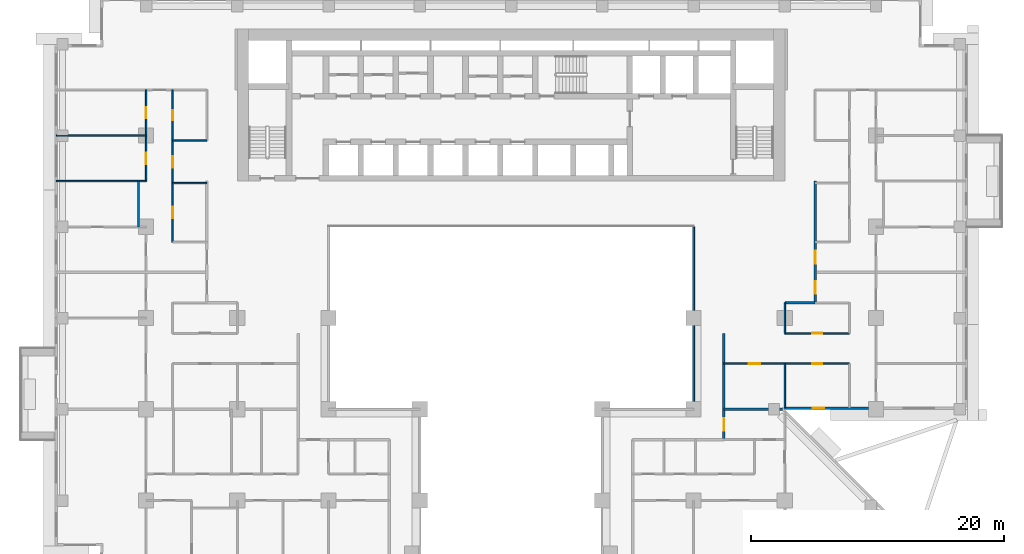
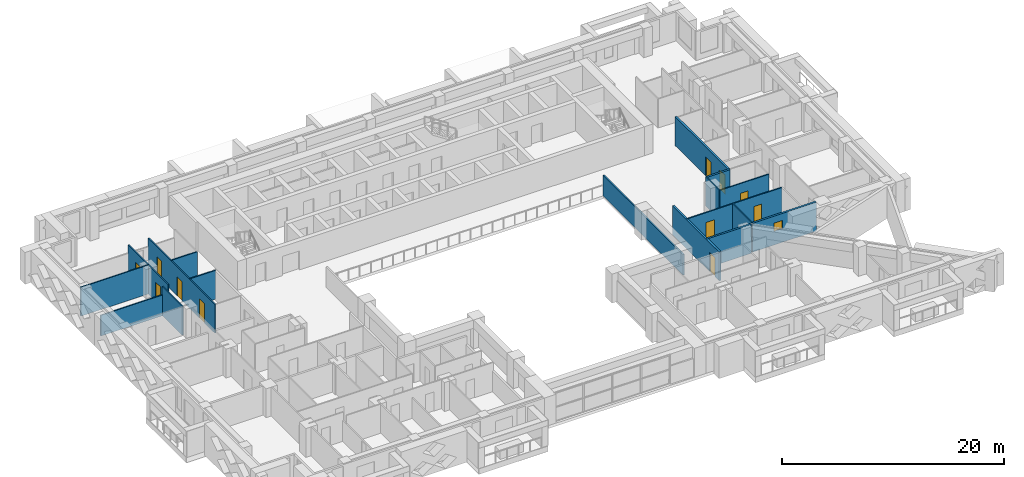
# One storey, part 9 of 17: 17 walls, 11 doors, 1 window, 12 openings.
"""IFC4 building model written with IfcOpenShell, lengths in metres."""

import ifcopenshell
import ifcopenshell.guid

model = None  # the IFC model being written
_history = None  # IfcOwnerHistory: only IFC2X3 demands one
_inside = {}  # id of a spatial element -> (the spatial element, [elements in it])
_under = {}  # id of a project, library or spatial element -> (it, [spatial elements below it])
_declared = {}  # id of a project -> (the project, [libraries it declares])
_typed = {}  # id of a type object -> (the type object, [elements of that type])
_made_of = {}  # id of a material, layer set ... -> (it, [elements and type objects made of it])


def new_model(schema):
    """Start an empty IFC model of exactly this schema.

    Asked for "IFC4X3", IfcOpenShell would pick the latest addendum, in which some entities
    have other attributes; the version numbers below select the first issue.
    IFC2X3 requires an IfcOwnerHistory on every rooted entity: one is made here for all.
    """
    global model, _history
    if schema == "IFC4X3":
        model = ifcopenshell.file(schema_version=(4, 3, 0, 0))
    else:
        model = ifcopenshell.file(schema=schema)
    _inside.clear()
    _under.clear()
    _declared.clear()
    _typed.clear()
    _made_of.clear()
    _history = None
    if model.schema == "IFC2X3":
        org = make("IfcOrganization", Name="unknown")
        user = make(
            "IfcPersonAndOrganization",
            ThePerson=make("IfcPerson", FamilyName="unknown"),
            TheOrganization=org,
        )
        app = make(
            "IfcApplication",
            ApplicationDeveloper=org,
            Version="unknown",
            ApplicationFullName="unknown",
            ApplicationIdentifier="unknown",
        )
        _history = make(
            "IfcOwnerHistory",
            OwningUser=user,
            OwningApplication=app,
            ChangeAction="ADDED",
            CreationDate=0,
        )
    return model


def make(cls, **values):
    """One entity of the class cls with the attributes given. An attribute that is None is left unset."""
    return model.create_entity(
        cls, **{name: value for name, value in values.items() if value is not None}
    )


def rooted(cls, **values):
    """An entity with a GlobalId (a new one), such as an element, a storey or a relation."""
    return make(cls, GlobalId=ifcopenshell.guid.new(), OwnerHistory=_history, **values)


def si_unit(unit_type, name, prefix=None):
    """IfcSIUnit, for example si_unit("LENGTHUNIT", "METRE", prefix="MILLI")."""
    return make("IfcSIUnit", UnitType=unit_type, Prefix=prefix, Name=name)


def assignment(units):
    """IfcUnitAssignment: the units of a project."""
    return None if units is None else make("IfcUnitAssignment", Units=units)


def point(xyz):
    """IfcCartesianPoint."""
    return None if xyz is None else make("IfcCartesianPoint", Coordinates=xyz)


def direction(xyz):
    """IfcDirection."""
    return None if xyz is None else make("IfcDirection", DirectionRatios=xyz)


def frame(location, z_axis=None, x_axis=None):
    """IfcAxis2Placement3D, a coordinate frame: its origin and axes. An axis left out is left unset."""
    return make(
        "IfcAxis2Placement3D",
        Location=point(location),
        Axis=direction(z_axis),
        RefDirection=direction(x_axis),
    )


def frame_2d(location, x_axis=None):
    """IfcAxis2Placement2D, a coordinate frame in the plane: its origin and x axis."""
    return make(
        "IfcAxis2Placement2D", Location=point(location), RefDirection=direction(x_axis)
    )


def origin():
    """The frame at (0, 0, 0) with its axes left unset."""
    return frame((0.0, 0.0, 0.0))


def place(relative_to, where):
    """IfcLocalPlacement: puts the frame where relative to a parent placement (None: the world)."""
    return make(
        "IfcLocalPlacement", PlacementRelTo=relative_to, RelativePlacement=where
    )


def context(
    kind, dimensions, precision=None, world=None, true_north=None, identifier=None
):
    """IfcGeometricRepresentationContext, for example the 3D "Model" context."""
    return make(
        "IfcGeometricRepresentationContext",
        ContextIdentifier=identifier,
        ContextType=kind,
        CoordinateSpaceDimension=dimensions,
        Precision=precision,
        WorldCoordinateSystem=world,
        TrueNorth=true_north,
    )


def subcontext(parent, identifier, kind, view, scale=None):
    """IfcGeometricRepresentationSubContext, for example "Body" below "Model"."""
    return make(
        "IfcGeometricRepresentationSubContext",
        ContextIdentifier=identifier,
        ContextType=kind,
        ParentContext=parent,
        TargetScale=scale,
        TargetView=view,
    )


def project(units=None, contexts=None):
    """IfcProject with its units and contexts."""
    return rooted(
        "IfcProject",
        Name="project",
        RepresentationContexts=contexts,
        UnitsInContext=assignment(units),
    )


def spatial(cls, under=None, at=None, **own):
    """A site, building, storey or space (cls), placed at a placement, below another one or the project."""
    s = rooted(cls, ObjectPlacement=at, **own)
    if under is not None:
        _under.setdefault(under.id(), (under, []))[1].append(s)
    return s


def profile(cls, at=None, kind="AREA", **sizes):
    """A parametric profile (cls). Its sizes go by their IFC names, for example OverallWidth=200.0."""
    return make(cls, ProfileType=kind, Position=at, **sizes)


def rectangle(**sizes):
    """IfcRectangleProfileDef."""
    return profile("IfcRectangleProfileDef", **sizes)


def extrude(swept, where, along, depth):
    """IfcExtrudedAreaSolid: the profile swept, set in the frame where, extruded along a direction by depth."""
    return make(
        "IfcExtrudedAreaSolid",
        SweptArea=swept,
        Position=where,
        ExtrudedDirection=direction(along),
        Depth=depth,
    )


def shape(context_of_items, identifier, shape_type, items):
    """IfcShapeRepresentation: the items that make up one representation, for example the "Body"."""
    return make(
        "IfcShapeRepresentation",
        ContextOfItems=context_of_items,
        RepresentationIdentifier=identifier,
        RepresentationType=shape_type,
        Items=items,
    )


def material(Name=None, Category=None):
    """IfcMaterial."""
    return make("IfcMaterial", Name=Name, Category=Category)


def layer(
    of_material, thickness, ventilated=None, Name=None, Category=None, Priority=None
):
    """IfcMaterialLayer: one layer of a wall or slab, of a material (None: an air gap)."""
    return make(
        "IfcMaterialLayer",
        Material=of_material,
        LayerThickness=thickness,
        IsVentilated=ventilated,
        Name=Name,
        Category=Category,
        Priority=Priority,
    )


def layer_set(layers, Name=None):
    """IfcMaterialLayerSet."""
    return make("IfcMaterialLayerSet", MaterialLayers=layers, LayerSetName=Name)


def made_of(thing, what):
    """Note that an element or type object is made of a material, layer set ...; save() writes the relation."""
    if what is not None:
        _made_of.setdefault(what.id(), (what, []))[1].append(thing)
    return thing


def type_object(cls, material=None, **own):
    """A type object (cls), such as IfcWallType, which elements share."""
    return made_of(rooted(cls, **own), material)


def element(
    cls,
    number,
    at=None,
    inside=None,
    cuts=None,
    type_object=None,
    material=None,
    context=None,
    identifier="Body",
    shape_type=None,
    held_by="IfcProductDefinitionShape",
    body=None,
    shapes=None,
    **own,
):
    """One element of the class cls, such as IfcWall. Its Tag is "e" and its number.

    at: its placement. inside: the storey or other place that contains it. cuts: it is an
    opening in that element (IfcRelVoidsElement). A single representation is given by context,
    identifier, shape_type and body (its items); several are given by shapes. held_by: the class
    of the entity that holds the representations. save() writes the other relations.
    """
    e = rooted(cls, Tag="e%d" % number, ObjectPlacement=at, **own)
    if body is not None:
        shapes = [shape(context, identifier, shape_type, body)]
    if shapes is not None:
        e.Representation = make(held_by, Representations=shapes)
    if inside is not None:
        _inside.setdefault(inside.id(), (inside, []))[1].append(e)
    if cuts is not None:
        rooted(
            "IfcRelVoidsElement", RelatingBuildingElement=cuts, RelatedOpeningElement=e
        )
    if type_object is not None:
        _typed.setdefault(type_object.id(), (type_object, []))[1].append(e)
    return made_of(e, material)


def fill(opening, filler):
    """IfcRelFillsElement: the door or window that sits in an opening."""
    return rooted(
        "IfcRelFillsElement",
        RelatingOpeningElement=opening,
        RelatedBuildingElement=filler,
    )


def aggregate(whole, parts):
    """IfcRelAggregates: a whole, such as a stair, and the parts it consists of."""
    return rooted("IfcRelAggregates", RelatingObject=whole, RelatedObjects=parts)


def save(model, path):
    """Write the relations noted so far, then the file.

    IfcRelAggregates (storeys below a building ...), IfcRelContainedInSpatialStructure (elements
    in a storey), IfcRelDefinesByType, IfcRelAssociatesMaterial and IfcRelDeclares: one each for
    every whole, place, type object, material and project.
    """
    for whole, parts in _under.values():
        aggregate(whole, parts)
    for where, things in _inside.values():
        rooted(
            "IfcRelContainedInSpatialStructure",
            RelatedElements=things,
            RelatingStructure=where,
        )
    for kind, things in _typed.values():
        rooted("IfcRelDefinesByType", RelatedObjects=things, RelatingType=kind)
    for what, things in _made_of.values():
        rooted("IfcRelAssociatesMaterial", RelatedObjects=things, RelatingMaterial=what)
    for by, libraries in _declared.values():
        rooted("IfcRelDeclares", RelatingContext=by, RelatedDefinitions=libraries)
    model.write(path)


model = new_model("IFC4")

# Units and contexts
model_context = context("Model", 3, precision=1e-05, world=origin(), true_north=direction((0.0, 1.0)))
body_context = subcontext(model_context, "Body", "Model", "MODEL_VIEW")
ifc_project = project(units=[si_unit("LENGTHUNIT", "METRE"), si_unit("AREAUNIT", "SQUARE_METRE"), si_unit("VOLUMEUNIT", "CUBIC_METRE"), si_unit("PLANEANGLEUNIT", "RADIAN"), si_unit("MASSUNIT", "GRAM", prefix="KILO")], contexts=[model_context])

# Site, building, storey
site_placement = place(None, origin())
site = spatial("IfcSite", under=ifc_project, at=site_placement, CompositionType="ELEMENT")
building_placement = place(site_placement, origin())
building = spatial("IfcBuilding", under=site, at=building_placement, Name="Saffron Iwan Residences", CompositionType="ELEMENT")
storey_placement = place(building_placement, frame((0.0, 0.0, 97.0)))
storey = spatial("IfcBuildingStorey", under=building, at=storey_placement, Name="L25", CompositionType="ELEMENT", Elevation=97.0)

# Wall
ifc_material_1 = material(Name="Fire-rated glazing", Category="glass")
ifc_layer_1 = layer(ifc_material_1, 0.14990234375)
ifc_layer_set_1 = layer_set([ifc_layer_1], Name="Fire-rated glazing")
wall_type_1 = type_object("IfcWallType", Name="Atrium glazed screen 150", PredefinedType="SOLIDWALL", material=ifc_layer_set_1)
wall_1_placement = place(storey_placement, frame((64.800048828125, 48.0, 0.0), z_axis=(0.0, 0.0, 1.0), x_axis=(0.0, 1.0, 0.0)))
element("IfcWall", 1, at=wall_1_placement, inside=storey, type_object=wall_type_1, Name="W-L25-SCREEN-v64.8-48", PredefinedType="SOLIDWALL", context=body_context, shape_type="SweptSolid", body=[
    extrude(rectangle(XDim=14.39990234375, YDim=0.14990234375, at=frame_2d((7.199951171875, 0.0))), origin(), (0.0, 0.0, 1.0), 2.280029296875),
])

# Wall, opening, window
ifc_material_2 = material(Name="Concrete C40/50", Category="concrete")
ifc_layer_2 = layer(ifc_material_2, 0.199951171875)
ifc_layer_set_2 = layer_set([ifc_layer_2], Name="Concrete C40/50")
wall_type_2 = type_object("IfcWallType", Name="EXTERNAL WALL 200", PredefinedType="SOLIDWALL", material=ifc_layer_set_2)
wall_2_placement = place(storey_placement, frame((71.988525390625, 48.10009765625, 0.0), z_axis=(0.0, 0.0, 1.0), x_axis=(1.0, 0.0, 0.0)))
wall_2 = element("IfcWall", 2, at=wall_2_placement, inside=storey, type_object=wall_type_2, Name="External wall L25 F1.0", PredefinedType="SOLIDWALL", context=body_context, shape_type="SweptSolid", body=[
    extrude(rectangle(XDim=6.611572265625, YDim=0.199951171875, at=frame_2d((3.3056640625, 0.0))), origin(), (0.0, 0.0, 1.0), 3.179931640625),
])
opening_1_placement = place(wall_2_placement, frame((2.205810546875, 0.0, 1.5)))
opening_1 = element("IfcOpeningElement", 3, at=opening_1_placement, cuts=wall_2, Name="Opening W6", PredefinedType="OPENING", context=body_context, shape_type="SweptSolid", body=[
    extrude(rectangle(XDim=0.89990234375, YDim=0.89990234375, at=frame_2d((0.449951171875, 0.449951171875))), frame((0.0, 0.10986328125, 0.0), z_axis=(0.0, -1.0, 0.0), x_axis=(1.0, 0.0, 0.0)), (0.0, 0.0, 1.0), 0.219970703125),
])
ifc_material_3 = material(Name="Clear glass, laminated double glazed", Category="glass")
window_type = type_object("IfcWindowType", Name="WINDOW 900 x 900 BATH", PartitioningType="SINGLE_PANEL", PredefinedType="WINDOW", material=ifc_material_3)
window_placement = place(opening_1_placement, origin())
window = element("IfcWindow", 4, at=window_placement, inside=storey, type_object=window_type, Name="Window L25 F1.0", OverallHeight=0.89990234375, OverallWidth=0.89990234375, PartitioningType="SINGLE_PANEL", PredefinedType="WINDOW", context=body_context, shape_type="SweptSolid", body=[
    extrude(rectangle(XDim=0.89990234375, YDim=0.89990234375, at=frame_2d((0.449951171875, 0.449951171875))), frame((0.0, 0.030029296875, 0.0), z_axis=(0.0, -1.0, 0.0), x_axis=(1.0, 0.0, 0.0)), (0.0, 0.0, 1.0), 0.06005859375),
])
fill(opening_1, window)

# Wall
ifc_material_4 = material(Name="Fire-rated gypsum board wall")
ifc_layer_3 = layer(ifc_material_4, 0.199951171875)
ifc_layer_set_3 = layer_set([ifc_layer_3], Name="Fire-rated gypsum board wall")
wall_type_3 = type_object("IfcWallType", Name="Flat demising wall 200", PredefinedType="SOLIDWALL", material=ifc_layer_set_3)
wall_3_placement = place(storey_placement, frame((67.199951171875, 48.0, 0.0), z_axis=(0.0, 0.0, 1.0), x_axis=(1.0, 0.0, 0.0)))
element("IfcWall", 5, at=wall_3_placement, inside=storey, type_object=wall_type_3, Name="W-L25-DEMISE-h48-67.2", PredefinedType="SOLIDWALL", context=body_context, shape_type="SweptSolid", body=[
    extrude(rectangle(XDim=4.623046875, YDim=0.199951171875, at=frame_2d((2.3115234375, 0.0))), origin(), (0.0, 0.0, 1.0), 3.179931640625),
])

# Wall, openings, doors
ifc_material_5 = material(Name="Gypsum board partition")
ifc_layer_4 = layer(ifc_material_5, 0.1201171875)
ifc_layer_set_4 = layer_set([ifc_layer_4], Name="Gypsum board partition")
wall_type_4 = type_object("IfcWallType", Name="Flat partition 120", PredefinedType="PARTITIONING", material=ifc_layer_set_4)
wall_4_placement = place(storey_placement, frame((67.199951171875, 51.60009765625, 0.0), z_axis=(0.0, 0.0, 1.0), x_axis=(1.0, 0.0, 0.0)))
wall_4 = element("IfcWall", 6, at=wall_4_placement, inside=storey, type_object=wall_type_4, Name="W-L25-PART-h51.6-67.2", PredefinedType="PARTITIONING", context=body_context, shape_type="SweptSolid", body=[
    extrude(rectangle(XDim=9.900146484375, YDim=0.1201171875, at=frame_2d((4.9501953125, 0.0))), origin(), (0.0, 0.0, 1.0), 3.179931640625),
])
opening_2_placement = place(wall_4_placement, frame((6.949951171875, 0.0, 0.0)))
opening_2 = element("IfcOpeningElement", 7, at=opening_2_placement, cuts=wall_4, Name="Opening FD3", PredefinedType="OPENING", context=body_context, shape_type="SweptSolid", body=[
    extrude(rectangle(XDim=0.800048828125, YDim=2.10009765625, at=frame_2d((0.39990234375, 1.050048828125))), frame((0.0, 0.070068359375, 0.0), z_axis=(0.0, -1.0, 0.0), x_axis=(1.0, 0.0, 0.0)), (0.0, 0.0, 1.0), 0.14013671875),
])
opening_3_placement = place(wall_4_placement, frame((1.949951171875, 0.0, 0.0)))
opening_3 = element("IfcOpeningElement", 8, at=opening_3_placement, cuts=wall_4, Name="Opening FD2", PredefinedType="OPENING", context=body_context, shape_type="SweptSolid", body=[
    extrude(rectangle(XDim=0.89990234375, YDim=2.10009765625, at=frame_2d((0.449951171875, 1.050048828125))), frame((0.0, 0.070068359375, 0.0), z_axis=(0.0, -1.0, 0.0), x_axis=(1.0, 0.0, 0.0)), (0.0, 0.0, 1.0), 0.14013671875),
])
ifc_material_6 = material(Name="Timber door", Category="wood")
door_type_1 = type_object("IfcDoorType", Name="Bathroom door 800", OperationType="NOTDEFINED", PredefinedType="DOOR", material=ifc_material_6)
door_1_placement = place(opening_2_placement, origin())
door_1 = element("IfcDoor", 9, at=door_1_placement, inside=storey, type_object=door_type_1, Name="Door L25-023", OperationType="SINGLE_SWING_LEFT", OverallHeight=2.10009765625, OverallWidth=0.800048828125, PredefinedType="DOOR", context=body_context, shape_type="SweptSolid", body=[
    extrude(rectangle(XDim=0.800048828125, YDim=2.10009765625, at=frame_2d((0.39990234375, 1.050048828125))), frame((0.0, 0.02490234375, 0.0), z_axis=(0.0, -1.0, 0.0), x_axis=(1.0, 0.0, 0.0)), (0.0, 0.0, 1.0), 0.050048828125),
])
fill(opening_2, door_1)
door_type_2 = type_object("IfcDoorType", Name="Flat door 900", OperationType="NOTDEFINED", PredefinedType="DOOR", material=ifc_material_6)
door_2_placement = place(opening_3_placement, origin())
door_2 = element("IfcDoor", 10, at=door_2_placement, inside=storey, type_object=door_type_2, Name="Door L25-025", OperationType="SINGLE_SWING_LEFT", OverallHeight=2.10009765625, OverallWidth=0.89990234375, PredefinedType="DOOR", context=body_context, shape_type="SweptSolid", body=[
    extrude(rectangle(XDim=0.89990234375, YDim=2.10009765625, at=frame_2d((0.449951171875, 1.050048828125))), frame((0.0, 0.02490234375, 0.0), z_axis=(0.0, -1.0, 0.0), x_axis=(1.0, 0.0, 0.0)), (0.0, 0.0, 1.0), 0.050048828125),
])
fill(opening_3, door_2)

# Wall, opening, door
wall_5_placement = place(storey_placement, frame((72.0, 54.0, 0.0), z_axis=(0.0, 0.0, 1.0), x_axis=(1.0, 0.0, 0.0)))
wall_5 = element("IfcWall", 11, at=wall_5_placement, inside=storey, type_object=wall_type_4, Name="W-L25-PART-h54-72", PredefinedType="PARTITIONING", context=body_context, shape_type="SweptSolid", body=[
    extrude(rectangle(XDim=5.10009765625, YDim=0.1201171875, at=frame_2d((2.550048828125, 0.0))), origin(), (0.0, 0.0, 1.0), 3.179931640625),
])
opening_4_placement = place(wall_5_placement, frame((2.14990234375, 0.0, 0.0)))
opening_4 = element("IfcOpeningElement", 12, at=opening_4_placement, cuts=wall_5, Name="Opening FD3", PredefinedType="OPENING", context=body_context, shape_type="SweptSolid", body=[
    extrude(rectangle(XDim=0.800048828125, YDim=2.10009765625, at=frame_2d((0.39990234375, 1.050048828125))), frame((0.0, 0.070068359375, 0.0), z_axis=(0.0, -1.0, 0.0), x_axis=(1.0, 0.0, 0.0)), (0.0, 0.0, 1.0), 0.14013671875),
])
door_3_placement = place(opening_4_placement, origin())
door_3 = element("IfcDoor", 13, at=door_3_placement, inside=storey, type_object=door_type_1, Name="Door L25-024", OperationType="SINGLE_SWING_RIGHT", OverallHeight=2.10009765625, OverallWidth=0.800048828125, PredefinedType="DOOR", context=body_context, shape_type="SweptSolid", body=[
    extrude(rectangle(XDim=0.800048828125, YDim=2.10009765625, at=frame_2d((0.39990234375, 1.050048828125))), frame((0.0, 0.02490234375, 0.0), z_axis=(0.0, -1.0, 0.0), x_axis=(1.0, 0.0, 0.0)), (0.0, 0.0, 1.0), 0.050048828125),
])
fill(opening_4, door_3)

# Walls
wall_6_placement = place(storey_placement, frame((23.699951171875, 65.85009765625, 0.0), z_axis=(0.0, 0.0, 1.0), x_axis=(1.0, 0.0, 0.0)))
element("IfcWall", 14, at=wall_6_placement, inside=storey, type_object=wall_type_4, Name="W-L25-PART-h65.85-23.7", PredefinedType="PARTITIONING", context=body_context, shape_type="SweptSolid", body=[
    extrude(rectangle(XDim=2.699951171875, YDim=0.1201171875, at=frame_2d((1.35009765625, 0.0))), origin(), (0.0, 0.0, 1.0), 3.179931640625),
])
wall_7_placement = place(storey_placement, frame((14.52490234375, 66.0, 0.0), z_axis=(0.0, 0.0, 1.0), x_axis=(1.0, 0.0, 0.0)))
element("IfcWall", 15, at=wall_7_placement, inside=storey, type_object=wall_type_4, Name="W-L25-PART-h66-14.525", PredefinedType="PARTITIONING", context=body_context, shape_type="SweptSolid", body=[
    extrude(rectangle(XDim=7.0751953125, YDim=0.1201171875, at=frame_2d((3.53759765625, 0.0))), origin(), (0.0, 0.0, 1.0), 2.280029296875),
])
wall_8_placement = place(storey_placement, frame((23.699951171875, 69.199951171875, 0.0), z_axis=(0.0, 0.0, 1.0), x_axis=(1.0, 0.0, 0.0)))
element("IfcWall", 16, at=wall_8_placement, inside=storey, type_object=wall_type_4, Name="W-L25-PART-h69.2-23.7", PredefinedType="PARTITIONING", context=body_context, shape_type="SweptSolid", body=[
    extrude(rectangle(XDim=2.699951171875, YDim=0.1201171875, at=frame_2d((1.35009765625, 0.0))), origin(), (0.0, 0.0, 1.0), 3.179931640625),
])
wall_9_placement = place(storey_placement, frame((14.52490234375, 69.60009765625, 0.0), z_axis=(0.0, 0.0, 1.0), x_axis=(1.0, 0.0, 0.0)))
element("IfcWall", 17, at=wall_9_placement, inside=storey, type_object=wall_type_4, Name="W-L25-PART-h69.6-14.525", PredefinedType="PARTITIONING", context=body_context, shape_type="SweptSolid", body=[
    extrude(rectangle(XDim=7.0751953125, YDim=0.1201171875, at=frame_2d((3.53759765625, 0.0))), origin(), (0.0, 0.0, 1.0), 3.179931640625),
])
wall_10_placement = place(storey_placement, frame((21.0, 62.39990234375, 0.0), z_axis=(0.0, 0.0, 1.0), x_axis=(0.0, 1.0, 0.0)))
element("IfcWall", 18, at=wall_10_placement, inside=storey, type_object=wall_type_4, Name="W-L25-PART-v21-62.4", PredefinedType="PARTITIONING", context=body_context, shape_type="SweptSolid", body=[
    extrude(rectangle(XDim=3.60009765625, YDim=0.1201171875, at=frame_2d((1.800048828125, 0.0))), origin(), (0.0, 0.0, 1.0), 3.179931640625),
])

# Wall, openings, doors
wall_11_placement = place(storey_placement, frame((21.60009765625, 66.0, 0.0), z_axis=(0.0, 0.0, 1.0), x_axis=(0.0, 1.0, 0.0)))
wall_11 = element("IfcWall", 19, at=wall_11_placement, inside=storey, type_object=wall_type_4, Name="W-L25-PART-v21.6-66", PredefinedType="PARTITIONING", context=body_context, shape_type="SweptSolid", body=[
    extrude(rectangle(XDim=7.199951171875, YDim=0.1201171875, at=frame_2d((3.60009765625, 0.0))), origin(), (0.0, 0.0, 1.0), 3.179931640625),
])
opening_5_placement = place(wall_11_placement, frame((1.35009765625, 0.0, 0.0)))
opening_5 = element("IfcOpeningElement", 20, at=opening_5_placement, cuts=wall_11, Name="Opening FD2", PredefinedType="OPENING", context=body_context, shape_type="SweptSolid", body=[
    extrude(rectangle(XDim=0.89990234375, YDim=2.10009765625, at=frame_2d((0.449951171875, 1.050048828125))), frame((0.0, 0.070068359375, 0.0), z_axis=(0.0, -1.0, 0.0), x_axis=(1.0, 0.0, 0.0)), (0.0, 0.0, 1.0), 0.14013671875),
])
opening_6_placement = place(wall_11_placement, frame((4.949951171875, 0.0, 0.0)))
opening_6 = element("IfcOpeningElement", 21, at=opening_6_placement, cuts=wall_11, Name="Opening FD2", PredefinedType="OPENING", context=body_context, shape_type="SweptSolid", body=[
    extrude(rectangle(XDim=0.89990234375, YDim=2.10009765625, at=frame_2d((0.449951171875, 1.050048828125))), frame((0.0, 0.070068359375, 0.0), z_axis=(0.0, -1.0, 0.0), x_axis=(1.0, 0.0, 0.0)), (0.0, 0.0, 1.0), 0.14013671875),
])
door_4_placement = place(opening_5_placement, origin())
door_4 = element("IfcDoor", 22, at=door_4_placement, inside=storey, type_object=door_type_2, Name="Door L25-029", OperationType="SINGLE_SWING_LEFT", OverallHeight=2.10009765625, OverallWidth=0.89990234375, PredefinedType="DOOR", context=body_context, shape_type="SweptSolid", body=[
    extrude(rectangle(XDim=0.89990234375, YDim=2.10009765625, at=frame_2d((0.449951171875, 1.050048828125))), frame((0.0, 0.02490234375, 0.0), z_axis=(0.0, -1.0, 0.0), x_axis=(1.0, 0.0, 0.0)), (0.0, 0.0, 1.0), 0.050048828125),
])
fill(opening_5, door_4)
door_5_placement = place(opening_6_placement, origin())
door_5 = element("IfcDoor", 23, at=door_5_placement, inside=storey, type_object=door_type_2, Name="Door L25-030", OperationType="SINGLE_SWING_RIGHT", OverallHeight=2.10009765625, OverallWidth=0.89990234375, PredefinedType="DOOR", context=body_context, shape_type="SweptSolid", body=[
    extrude(rectangle(XDim=0.89990234375, YDim=2.10009765625, at=frame_2d((0.449951171875, 1.050048828125))), frame((0.0, 0.02490234375, 0.0), z_axis=(0.0, -1.0, 0.0), x_axis=(1.0, 0.0, 0.0)), (0.0, 0.0, 1.0), 0.050048828125),
])
fill(opening_6, door_5)

wall_12_placement = place(storey_placement, frame((23.699951171875, 61.199951171875, 0.0), z_axis=(0.0, 0.0, 1.0), x_axis=(0.0, 1.0, 0.0)))
wall_12 = element("IfcWall", 24, at=wall_12_placement, inside=storey, type_object=wall_type_4, Name="W-L25-PART-v23.7-61.2", PredefinedType="PARTITIONING", context=body_context, shape_type="SweptSolid", body=[
    extrude(rectangle(XDim=12.0, YDim=0.1201171875, at=frame_2d((6.0, 0.0))), origin(), (0.0, 0.0, 1.0), 3.179931640625),
])
opening_7_placement = place(wall_12_placement, frame((1.875, 0.0, 0.0)))
opening_7 = element("IfcOpeningElement", 25, at=opening_7_placement, cuts=wall_12, Name="Opening FD2", PredefinedType="OPENING", context=body_context, shape_type="SweptSolid", body=[
    extrude(rectangle(XDim=0.89990234375, YDim=2.10009765625, at=frame_2d((0.449951171875, 1.050048828125))), frame((0.0, 0.070068359375, 0.0), z_axis=(0.0, -1.0, 0.0), x_axis=(1.0, 0.0, 0.0)), (0.0, 0.0, 1.0), 0.14013671875),
])
opening_8_placement = place(wall_12_placement, frame((5.875, 0.0, 0.0)))
opening_8 = element("IfcOpeningElement", 26, at=opening_8_placement, cuts=wall_12, Name="Opening FD2", PredefinedType="OPENING", context=body_context, shape_type="SweptSolid", body=[
    extrude(rectangle(XDim=0.89990234375, YDim=2.10009765625, at=frame_2d((0.449951171875, 1.050048828125))), frame((0.0, 0.070068359375, 0.0), z_axis=(0.0, -1.0, 0.0), x_axis=(1.0, 0.0, 0.0)), (0.0, 0.0, 1.0), 0.14013671875),
])
opening_9_placement = place(wall_12_placement, frame((9.60009765625, 0.0, 0.0)))
opening_9 = element("IfcOpeningElement", 27, at=opening_9_placement, cuts=wall_12, Name="Opening FD3", PredefinedType="OPENING", context=body_context, shape_type="SweptSolid", body=[
    extrude(rectangle(XDim=0.800048828125, YDim=2.10009765625, at=frame_2d((0.39990234375, 1.050048828125))), frame((0.0, 0.070068359375, 0.0), z_axis=(0.0, -1.0, 0.0), x_axis=(1.0, 0.0, 0.0)), (0.0, 0.0, 1.0), 0.14013671875),
])
door_6_placement = place(opening_9_placement, origin())
door_6 = element("IfcDoor", 28, at=door_6_placement, inside=storey, type_object=door_type_1, Name="Door L25-034", OperationType="SINGLE_SWING_LEFT", OverallHeight=2.10009765625, OverallWidth=0.800048828125, PredefinedType="DOOR", context=body_context, shape_type="SweptSolid", body=[
    extrude(rectangle(XDim=0.800048828125, YDim=2.10009765625, at=frame_2d((0.39990234375, 1.050048828125))), frame((0.0, 0.02490234375, 0.0), z_axis=(0.0, -1.0, 0.0), x_axis=(1.0, 0.0, 0.0)), (0.0, 0.0, 1.0), 0.050048828125),
])
fill(opening_9, door_6)
door_7_placement = place(opening_7_placement, origin())
door_7 = element("IfcDoor", 29, at=door_7_placement, inside=storey, type_object=door_type_2, Name="Door L25-032", OperationType="SINGLE_SWING_LEFT", OverallHeight=2.10009765625, OverallWidth=0.89990234375, PredefinedType="DOOR", context=body_context, shape_type="SweptSolid", body=[
    extrude(rectangle(XDim=0.89990234375, YDim=2.10009765625, at=frame_2d((0.449951171875, 1.050048828125))), frame((0.0, 0.02490234375, 0.0), z_axis=(0.0, -1.0, 0.0), x_axis=(1.0, 0.0, 0.0)), (0.0, 0.0, 1.0), 0.050048828125),
])
fill(opening_7, door_7)
door_8_placement = place(opening_8_placement, origin())
door_8 = element("IfcDoor", 30, at=door_8_placement, inside=storey, type_object=door_type_2, Name="Door L25-033", OperationType="SINGLE_SWING_RIGHT", OverallHeight=2.10009765625, OverallWidth=0.89990234375, PredefinedType="DOOR", context=body_context, shape_type="SweptSolid", body=[
    extrude(rectangle(XDim=0.89990234375, YDim=2.10009765625, at=frame_2d((0.449951171875, 1.050048828125))), frame((0.0, 0.02490234375, 0.0), z_axis=(0.0, -1.0, 0.0), x_axis=(1.0, 0.0, 0.0)), (0.0, 0.0, 1.0), 0.050048828125),
])
fill(opening_8, door_8)

# Walls
wall_13_placement = place(storey_placement, frame((72.0, 48.125, 0.0), z_axis=(0.0, 0.0, 1.0), x_axis=(0.0, 1.0, 0.0)))
element("IfcWall", 31, at=wall_13_placement, inside=storey, type_object=wall_type_4, Name="W-L25-PART-v72-48.125", PredefinedType="PARTITIONING", context=body_context, shape_type="SweptSolid", body=[
    extrude(rectangle(XDim=3.47509765625, YDim=0.1201171875, at=frame_2d((1.737548828125, 0.0))), origin(), (0.0, 0.0, 1.0), 3.179931640625),
])
wall_14_placement = place(storey_placement, frame((72.0, 54.0, 0.0), z_axis=(0.0, 0.0, 1.0), x_axis=(0.0, 1.0, 0.0)))
element("IfcWall", 32, at=wall_14_placement, inside=storey, type_object=wall_type_4, Name="W-L25-PART-v72-54", PredefinedType="PARTITIONING", context=body_context, shape_type="SweptSolid", body=[
    extrude(rectangle(XDim=2.39990234375, YDim=0.1201171875, at=frame_2d((1.199951171875, 0.0))), origin(), (0.0, 0.0, 1.0), 3.179931640625),
])
ifc_layer_5 = layer(ifc_material_4, 0.199951171875)
ifc_layer_set_5 = layer_set([ifc_layer_5], Name="Fire-rated gypsum board wall")
wall_type_5 = type_object("IfcWallType", Name="Gallery wall 200", PredefinedType="SOLIDWALL", material=ifc_layer_set_5)
wall_15_placement = place(storey_placement, frame((72.0, 56.39990234375, 0.0), z_axis=(0.0, 0.0, 1.0), x_axis=(1.0, 0.0, 0.0)))
element("IfcWall", 33, at=wall_15_placement, inside=storey, type_object=wall_type_5, Name="W-L25-CORR-h56.4-72", PredefinedType="SOLIDWALL", context=body_context, shape_type="SweptSolid", body=[
    extrude(rectangle(XDim=2.39990234375, YDim=0.199951171875, at=frame_2d((1.199951171875, 0.0))), origin(), (0.0, 0.0, 1.0), 3.179931640625),
])

# Wall, opening, door
wall_16_placement = place(storey_placement, frame((67.199951171875, 45.60009765625, 0.0), z_axis=(0.0, 0.0, 1.0), x_axis=(0.0, 1.0, 0.0)))
wall_16 = element("IfcWall", 34, at=wall_16_placement, inside=storey, type_object=wall_type_5, Name="W-L25-CORR-v67.2-45.6", PredefinedType="SOLIDWALL", context=body_context, shape_type="SweptSolid", body=[
    extrude(rectangle(XDim=8.39990234375, YDim=0.199951171875, at=frame_2d((4.199951171875, 0.0))), origin(), (0.0, 0.0, 1.0), 3.179931640625),
])
opening_10_placement = place(wall_16_placement, frame((0.699951171875, 0.0, 0.0)))
opening_10 = element("IfcOpeningElement", 35, at=opening_10_placement, cuts=wall_16, Name="Opening FD5", PredefinedType="OPENING", context=body_context, shape_type="SweptSolid", body=[
    extrude(rectangle(XDim=1.0, YDim=2.10009765625, at=frame_2d((0.5, 1.050048828125))), frame((0.0, 0.10986328125, 0.0), z_axis=(0.0, -1.0, 0.0), x_axis=(1.0, 0.0, 0.0)), (0.0, 0.0, 1.0), 0.219970703125),
])
ifc_material_7 = material(Name="Fire-rated timber door", Category="wood")
door_type_3 = type_object("IfcDoorType", Name="Lobby door 1000", OperationType="NOTDEFINED", PredefinedType="DOOR", material=ifc_material_7)
door_9_placement = place(opening_10_placement, origin())
door_9 = element("IfcDoor", 36, at=door_9_placement, inside=storey, type_object=door_type_3, Name="Door L25-045", OperationType="SINGLE_SWING_RIGHT", OverallHeight=2.10009765625, OverallWidth=1.0, PredefinedType="DOOR", context=body_context, shape_type="SweptSolid", body=[
    extrude(rectangle(XDim=1.0, YDim=2.10009765625, at=frame_2d((0.5, 1.050048828125))), frame((0.0, 0.02490234375, 0.0), z_axis=(0.0, -1.0, 0.0), x_axis=(1.0, 0.0, 0.0)), (0.0, 0.0, 1.0), 0.050048828125),
])
fill(opening_10, door_9)

# Wall, openings, doors
wall_17_placement = place(storey_placement, frame((74.39990234375, 56.39990234375, 0.0), z_axis=(0.0, 0.0, 1.0), x_axis=(0.0, 1.0, 0.0)))
wall_17 = element("IfcWall", 37, at=wall_17_placement, inside=storey, type_object=wall_type_5, Name="W-L25-CORR-v74.4-56.4", PredefinedType="SOLIDWALL", context=body_context, shape_type="SweptSolid", body=[
    extrude(rectangle(XDim=9.60009765625, YDim=0.199951171875, at=frame_2d((4.800048828125, 0.0))), origin(), (0.0, 0.0, 1.0), 3.179931640625),
])
opening_11_placement = place(wall_17_placement, frame((0.699951171875, 0.0, 0.0)))
opening_11 = element("IfcOpeningElement", 38, at=opening_11_placement, cuts=wall_17, Name="Opening FD1", PredefinedType="OPENING", context=body_context, shape_type="SweptSolid", body=[
    extrude(rectangle(XDim=1.0, YDim=2.10009765625, at=frame_2d((0.5, 1.050048828125))), frame((0.0, 0.10986328125, 0.0), z_axis=(0.0, -1.0, 0.0), x_axis=(1.0, 0.0, 0.0)), (0.0, 0.0, 1.0), 0.219970703125),
])
opening_12_placement = place(wall_17_placement, frame((3.10009765625, 0.0, 0.0)))
opening_12 = element("IfcOpeningElement", 39, at=opening_12_placement, cuts=wall_17, Name="Opening FD1", PredefinedType="OPENING", context=body_context, shape_type="SweptSolid", body=[
    extrude(rectangle(XDim=1.0, YDim=2.10009765625, at=frame_2d((0.5, 1.050048828125))), frame((0.0, 0.10986328125, 0.0), z_axis=(0.0, -1.0, 0.0), x_axis=(1.0, 0.0, 0.0)), (0.0, 0.0, 1.0), 0.219970703125),
])
door_type_4 = type_object("IfcDoorType", Name="FD30S flat entrance door 1000", OperationType="NOTDEFINED", PredefinedType="DOOR", material=ifc_material_7)
door_10_placement = place(opening_11_placement, origin())
door_10 = element("IfcDoor", 40, at=door_10_placement, inside=storey, type_object=door_type_4, Name="Door L25-020", OperationType="SINGLE_SWING_LEFT", OverallHeight=2.10009765625, OverallWidth=1.0, PredefinedType="DOOR", context=body_context, shape_type="SweptSolid", body=[
    extrude(rectangle(XDim=1.0, YDim=2.10009765625, at=frame_2d((0.5, 1.050048828125))), frame((0.0, 0.02490234375, 0.0), z_axis=(0.0, -1.0, 0.0), x_axis=(1.0, 0.0, 0.0)), (0.0, 0.0, 1.0), 0.050048828125),
])
fill(opening_11, door_10)
door_11_placement = place(opening_12_placement, origin())
door_11 = element("IfcDoor", 41, at=door_11_placement, inside=storey, type_object=door_type_4, Name="Door L25-035", OperationType="SINGLE_SWING_LEFT", OverallHeight=2.10009765625, OverallWidth=1.0, PredefinedType="DOOR", context=body_context, shape_type="SweptSolid", body=[
    extrude(rectangle(XDim=1.0, YDim=2.10009765625, at=frame_2d((0.5, 1.050048828125))), frame((0.0, 0.02490234375, 0.0), z_axis=(0.0, -1.0, 0.0), x_axis=(1.0, 0.0, 0.0)), (0.0, 0.0, 1.0), 0.050048828125),
])
fill(opening_12, door_11)

save(model, "model.ifc")
